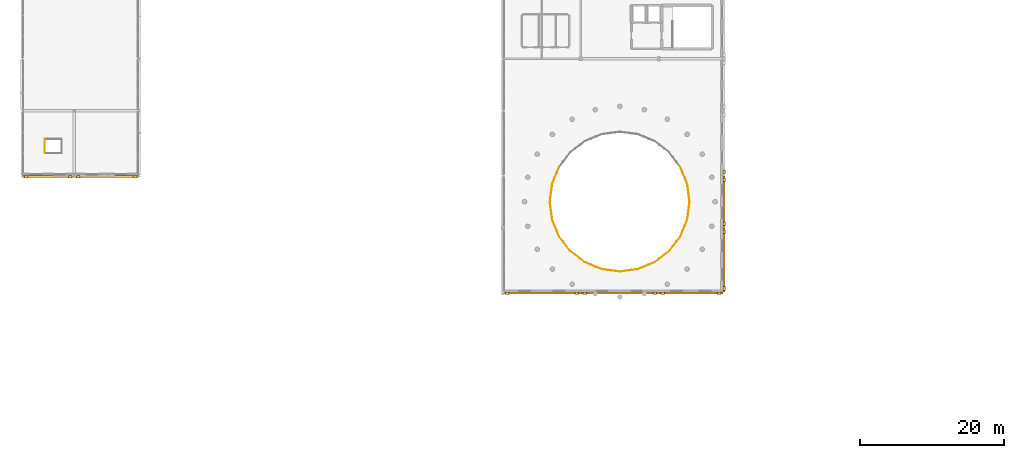
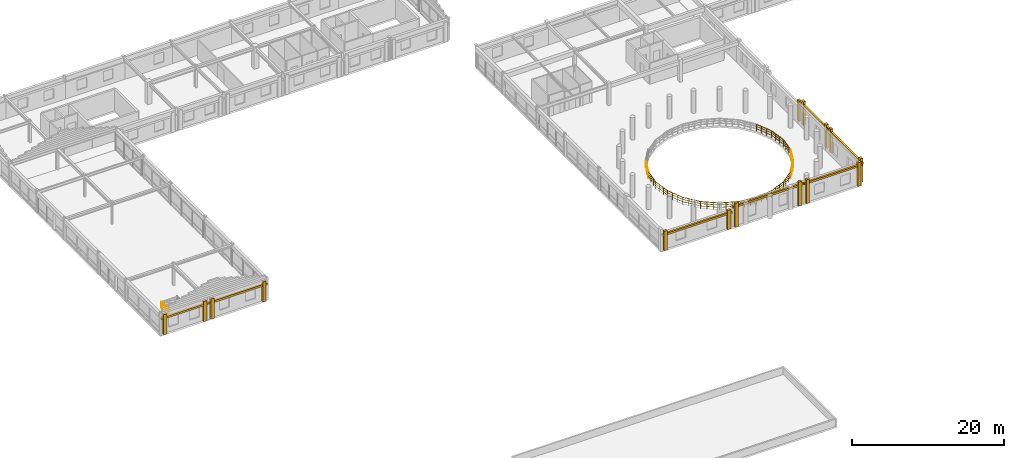
# One storey, part 46 of 52: 22 coverings, 17 railings.
"""IFC4 building model written with IfcOpenShell, lengths in metres."""

from ifc_helpers import new_model, si_unit, direction, frame, frame_2d, origin, origin_2d, place, context, subcontext, project, spatial, rectangle, circle, extrude, material, layer, layer_set, type_object, element, save


model = new_model("IFC4")

# Units and contexts
model_context = context("Model", 3, precision=1e-05, world=origin(), true_north=direction((0.0, 1.0)))
body_context = subcontext(model_context, "Body", "Model", "MODEL_VIEW")
ifc_project = project(units=[si_unit("LENGTHUNIT", "METRE"), si_unit("AREAUNIT", "SQUARE_METRE"), si_unit("VOLUMEUNIT", "CUBIC_METRE"), si_unit("PLANEANGLEUNIT", "RADIAN"), si_unit("MASSUNIT", "GRAM", prefix="KILO")], contexts=[model_context])

# Site, building, storey
site_placement = place(None, origin())
site = spatial("IfcSite", under=ifc_project, at=site_placement, CompositionType="ELEMENT")
building_placement = place(site_placement, origin())
building = spatial("IfcBuilding", under=site, at=building_placement, Name="Clarverna Civic Hall", CompositionType="ELEMENT")
storey_placement = place(building_placement, frame((0.0, 0.0, 16.800048828125)))
storey = spatial("IfcBuildingStorey", under=building, at=storey_placement, Name="L04", CompositionType="ELEMENT", Elevation=16.800048828125)

# Coverings
ifc_material_1 = material(Name="Montjuic Buff Limestone Ashlar Cladding", Category="masonry")
ifc_layer = layer(ifc_material_1, 0.070068359375)
ifc_layer_set = layer_set([ifc_layer], Name="Montjuic Buff Limestone Ashlar Cladding")
covering_type = type_object("IfcCoveringType", Name="CV-CL2", PredefinedType="CLADDING", material=ifc_layer_set)
covering_1_placement = place(storey_placement, frame((97.284912109375, 63.419921875, 0.0), z_axis=(0.0, 0.0, 1.0), x_axis=(0.0, -1.0, 0.0)))
element("IfcCovering", 1, at=covering_1_placement, inside=storey, type_object=covering_type, Name="CV-CL2-790", PredefinedType="CLADDING", context=body_context, shape_type="SweptSolid", body=[
    extrude(rectangle(XDim=0.5, YDim=0.340087890625, at=frame_2d((0.25, 0.0))), origin(), (0.0, 0.0, 1.0), 3.260009765625),
])
covering_2_placement = place(storey_placement, frame((97.2548828125, 62.5400390625, 3.06005859375), z_axis=(0.0, 0.0, 1.0), x_axis=(0.0, -1.0, 0.0)))
element("IfcCovering", 2, at=covering_2_placement, inside=storey, type_object=covering_type, Name="CV-CL2-791", PredefinedType="CLADDING", context=body_context, shape_type="SweptSolid", body=[
    extrude(rectangle(XDim=7.080078125, YDim=0.280029296875, at=frame_2d((3.5400390625, 0.0))), origin(), (0.0, 0.0, 1.0), 0.2998046875),
])
for number, where, z_axis, x_axis, name in (
    (3, (97.284912109375, 62.280029296875, 0.0), (0.0, 0.0, 1.0), (0.0, -1.0, 0.0), "CV-CL2-792"),
    (4, (97.284912109375, 56.219970703125, 0.0), (0.0, 0.0, 1.0), (0.0, -1.0, 0.0), "CV-CL2-793"),
):
    element("IfcCovering", number, at=place(storey_placement, frame(where, z_axis=z_axis, x_axis=x_axis)), inside=storey, type_object=covering_type, Name=name, PredefinedType="CLADDING", context=body_context, shape_type="SweptSolid", body=[
        extrude(rectangle(XDim=0.5, YDim=0.340087890625, at=frame_2d((0.25, 0.0))), origin(), (0.0, 0.0, 1.0), 3.820068359375),
    ])
covering_3_placement = place(storey_placement, frame((97.2548828125, 55.340087890625, 3.06005859375), z_axis=(0.0, 0.0, 1.0), x_axis=(0.0, -1.0, 0.0)))
element("IfcCovering", 5, at=covering_3_placement, inside=storey, type_object=covering_type, Name="CV-CL2-794", PredefinedType="CLADDING", context=body_context, shape_type="SweptSolid", body=[
    extrude(rectangle(XDim=8.880126953125, YDim=0.280029296875, at=frame_2d((4.43994140625, 0.0))), origin(), (0.0, 0.0, 1.0), 0.2998046875),
])
for number, where, z_axis, x_axis, name in (
    (6, (97.284912109375, 55.080078125, 0.0), (0.0, 0.0, 1.0), (0.0, -1.0, 0.0), "CV-CL2-795"),
    (7, (97.284912109375, 47.219970703125, 0.0), (0.0, 0.0, 1.0), (0.0, -1.0, 0.0), "CV-CL2-796"),
):
    element("IfcCovering", number, at=place(storey_placement, frame(where, z_axis=z_axis, x_axis=x_axis)), inside=storey, type_object=covering_type, Name=name, PredefinedType="CLADDING", context=body_context, shape_type="SweptSolid", body=[
        extrude(rectangle(XDim=0.5, YDim=0.340087890625, at=frame_2d((0.25, 0.0))), origin(), (0.0, 0.0, 1.0), 3.820068359375),
    ])
covering_4_placement = place(storey_placement, frame((97.114990234375, 46.320068359375, 3.06005859375), z_axis=(0.0, 0.0, 1.0), x_axis=(-1.0, 0.0, 0.0)))
element("IfcCovering", 8, at=covering_4_placement, inside=storey, type_object=covering_type, Name="CV-CL2-797", PredefinedType="CLADDING", context=body_context, shape_type="SweptSolid", body=[
    extrude(rectangle(XDim=8.85498046875, YDim=0.280029296875, at=frame_2d((4.427490234375, 0.0))), origin(), (0.0, 0.0, 1.0), 0.2998046875),
])
for number, where, z_axis, x_axis, name in (
    (9, (96.85498046875, 46.2900390625, 0.0), (0.0, 0.0, 1.0), (-1.0, 0.0, 0.0), "CV-CL2-798"),
    (10, (89.02001953125, 46.2900390625, 0.0), (0.0, 0.0, 1.0), (-1.0, 0.0, 0.0), "CV-CL2-799"),
):
    element("IfcCovering", number, at=place(storey_placement, frame(where, z_axis=z_axis, x_axis=x_axis)), inside=storey, type_object=covering_type, Name=name, PredefinedType="CLADDING", context=body_context, shape_type="SweptSolid", body=[
        extrude(rectangle(XDim=0.5, YDim=0.340087890625, at=frame_2d((0.25, 0.0))), origin(), (0.0, 0.0, 1.0), 3.820068359375),
    ])
covering_5_placement = place(storey_placement, frame((88.139892578125, 46.320068359375, 3.099853515625), z_axis=(0.0, 0.0, 1.0), x_axis=(-1.0, 0.0, 0.0)))
element("IfcCovering", 11, at=covering_5_placement, inside=storey, type_object=covering_type, Name="CV-CL2-800", PredefinedType="CLADDING", context=body_context, shape_type="SweptSolid", body=[
    extrude(rectangle(XDim=10.679931640625, YDim=0.280029296875, at=frame_2d((5.33984375, 0.0))), origin(), (0.0, 0.0, 1.0), 0.300048828125),
])
for number, where, z_axis, x_axis, name in (
    (12, (87.8798828125, 46.2900390625, 0.0), (0.0, 0.0, 1.0), (-1.0, 0.0, 0.0), "CV-CL2-801"),
    (13, (78.219970703125, 46.2900390625, 0.0), (0.0, 0.0, 1.0), (-1.0, 0.0, 0.0), "CV-CL2-802"),
):
    element("IfcCovering", number, at=place(storey_placement, frame(where, z_axis=z_axis, x_axis=x_axis)), inside=storey, type_object=covering_type, Name=name, PredefinedType="CLADDING", context=body_context, shape_type="SweptSolid", body=[
        extrude(rectangle(XDim=0.5, YDim=0.340087890625, at=frame_2d((0.25, 0.0))), origin(), (0.0, 0.0, 1.0), 3.85986328125),
    ])
covering_6_placement = place(storey_placement, frame((77.340087890625, 46.320068359375, 2.33984375), z_axis=(0.0, 0.0, 1.0), x_axis=(-1.0, 0.0, 0.0)))
element("IfcCovering", 14, at=covering_6_placement, inside=storey, type_object=covering_type, Name="CV-CL2-803", PredefinedType="CLADDING", context=body_context, shape_type="SweptSolid", body=[
    extrude(rectangle(XDim=10.655029296875, YDim=0.280029296875, at=frame_2d((5.32763671875, 0.0))), origin(), (0.0, 0.0, 1.0), 0.300048828125),
])
for number, where, z_axis, x_axis, name in (
    (15, (77.080078125, 46.2900390625, 0.0), (0.0, 0.0, 1.0), (-1.0, 0.0, 0.0), "CV-CL2-804"),
    (16, (67.445068359375, 46.2900390625, 0.0), (0.0, 0.0, 1.0), (-1.0, 0.0, 0.0), "CV-CL2-805"),
):
    element("IfcCovering", number, at=place(storey_placement, frame(where, z_axis=z_axis, x_axis=x_axis)), inside=storey, type_object=covering_type, Name=name, PredefinedType="CLADDING", context=body_context, shape_type="SweptSolid", body=[
        extrude(rectangle(XDim=0.5, YDim=0.340087890625, at=frame_2d((0.25, 0.0))), origin(), (0.0, 0.0, 1.0), 3.099853515625),
    ])
covering_7_placement = place(storey_placement, frame((16.139892578125, 62.52001953125, 2.4599609375), z_axis=(0.0, 0.0, 1.0), x_axis=(-1.0, 0.0, 0.0)))
element("IfcCovering", 17, at=covering_7_placement, inside=storey, type_object=covering_type, Name="CV-CL2-848", PredefinedType="CLADDING", context=body_context, shape_type="SweptSolid", body=[
    extrude(rectangle(XDim=8.8798828125, YDim=0.280029296875, at=frame_2d((4.43994140625, 0.0))), origin(), (0.0, 0.0, 1.0), 0.300048828125),
])
for number, where, z_axis, x_axis, name in (
    (18, (15.8798828125, 62.489990234375, 0.0), (0.0, 0.0, 1.0), (-1.0, 0.0, 0.0), "CV-CL2-849"),
    (19, (8.02001953125, 62.489990234375, 0.0), (0.0, 0.0, 1.0), (-1.0, 0.0, 0.0), "CV-CL2-850"),
):
    element("IfcCovering", number, at=place(storey_placement, frame(where, z_axis=z_axis, x_axis=x_axis)), inside=storey, type_object=covering_type, Name=name, PredefinedType="CLADDING", context=body_context, shape_type="SweptSolid", body=[
        extrude(rectangle(XDim=0.5, YDim=0.340087890625, at=frame_2d((0.25, 0.0))), origin(), (0.0, 0.0, 1.0), 3.219970703125),
    ])
covering_8_placement = place(storey_placement, frame((7.139892578125, 62.52001953125, 2.4599609375), z_axis=(0.0, 0.0, 1.0), x_axis=(-1.0, 0.0, 0.0)))
element("IfcCovering", 20, at=covering_8_placement, inside=storey, type_object=covering_type, Name="CV-CL2-851", PredefinedType="CLADDING", context=body_context, shape_type="SweptSolid", body=[
    extrude(rectangle(XDim=7.079833984375, YDim=0.280029296875, at=frame_2d((3.5400390625, 0.0))), origin(), (0.0, 0.0, 1.0), 0.300048828125),
])
for number, where, z_axis, x_axis, name in (
    (21, (6.8798828125, 62.489990234375, 0.0), (0.0, 0.0, 1.0), (-1.0, 0.0, 0.0), "CV-CL2-852"),
    (22, (0.820068359375, 62.489990234375, 0.0), (0.0, 0.0, 1.0), (-1.0, 0.0, 0.0), "CV-CL2-853"),
):
    element("IfcCovering", number, at=place(storey_placement, frame(where, z_axis=z_axis, x_axis=x_axis)), inside=storey, type_object=covering_type, Name=name, PredefinedType="CLADDING", context=body_context, shape_type="SweptSolid", body=[
        extrude(rectangle(XDim=0.5, YDim=0.340087890625, at=frame_2d((0.25, 0.0))), origin(), (0.0, 0.0, 1.0), 3.219970703125),
    ])

# Railings
ifc_material_2 = material(Name="Anodised Bronze Architectural Balustrade")
railing_type = type_object("IfcRailingType", Name="GR-02", PredefinedType="BALUSTRADE", material=ifc_material_2)
railing_1_placement = place(storey_placement, frame((92.480712890625, 59.0, 0.0)))
element("IfcRailing", 23, at=railing_1_placement, inside=storey, type_object=railing_type, Name="GR-02-264", PredefinedType="BALUSTRADE", context=body_context, shape_type="SweptSolid", body=[
    extrude(circle(Radius=0.02392578125, at=origin_2d()), frame((0.0, 0.0, 1.09619140625), z_axis=(-0.130511988108, -0.991446731277, 0.0), x_axis=(0.991446731277, -0.130511988108, 0.0)), (0.0, 0.0, 1.0), 2.52734375),
    extrude(circle(Radius=0.011962890625, at=origin_2d()), frame((0.0, 0.0, 0.39208984375), z_axis=(-0.130511988108, -0.991446731277, 0.0), x_axis=(0.991446731277, -0.130511988108, 0.0)), (0.0, 0.0, 1.0), 2.52734375),
    extrude(circle(Radius=0.011962890625, at=origin_2d()), frame((0.0, 0.0, 0.76171875), z_axis=(-0.130511988108, -0.991446731277, 0.0), x_axis=(0.991446731277, -0.130511988108, 0.0)), (0.0, 0.0, 1.0), 2.52734375),
    extrude(circle(Radius=0.02099609375, at=origin_2d()), origin(), (0.0, 0.0, 1.0), 1.072021484375),
    extrude(circle(Radius=0.02099609375, at=origin_2d()), frame((-0.10986328125, -0.835205078125, 0.0)), (0.0, 0.0, 1.0), 1.072021484375),
    extrude(circle(Radius=0.02099609375, at=origin_2d()), frame((-0.219970703125, -1.67041015625, 0.0)), (0.0, 0.0, 1.0), 1.072021484375),
    extrude(circle(Radius=0.02099609375, at=origin_2d()), frame((-0.329833984375, -2.505615234375, 0.0)), (0.0, 0.0, 1.0), 1.072021484375),
])
railing_2_placement = place(storey_placement, frame((92.15087890625, 56.494384765625, 0.0)))
element("IfcRailing", 24, at=railing_2_placement, inside=storey, type_object=railing_type, Name="GR-02-265", PredefinedType="BALUSTRADE", context=body_context, shape_type="SweptSolid", body=[
    extrude(circle(Radius=0.02392578125, at=origin_2d()), frame((0.0, 0.0, 1.09619140625), z_axis=(-0.382755640752, -0.923849619512, 0.0), x_axis=(0.923849619512, -0.382755640752, 0.0)), (0.0, 0.0, 1.0), 2.527099609375),
    extrude(circle(Radius=0.011962890625, at=origin_2d()), frame((0.0, 0.0, 0.39208984375), z_axis=(-0.382755640752, -0.923849619512, 0.0), x_axis=(0.923849619512, -0.382755640752, 0.0)), (0.0, 0.0, 1.0), 2.527099609375),
    extrude(circle(Radius=0.011962890625, at=origin_2d()), frame((0.0, 0.0, 0.76171875), z_axis=(-0.382755640752, -0.923849619512, 0.0), x_axis=(0.923849619512, -0.382755640752, 0.0)), (0.0, 0.0, 1.0), 2.527099609375),
    extrude(circle(Radius=0.02099609375, at=origin_2d()), origin(), (0.0, 0.0, 1.0), 1.072021484375),
    extrude(circle(Radius=0.02099609375, at=origin_2d()), frame((-0.322509765625, -0.7783203125, 0.0)), (0.0, 0.0, 1.0), 1.072021484375),
    extrude(circle(Radius=0.02099609375, at=origin_2d()), frame((-0.644775390625, -1.556396484375, 0.0)), (0.0, 0.0, 1.0), 1.072021484375),
    extrude(circle(Radius=0.02099609375, at=origin_2d()), frame((-0.96728515625, -2.334716796875, 0.0)), (0.0, 0.0, 1.0), 1.072021484375),
])
railing_3_placement = place(storey_placement, frame((91.18359375, 54.15966796875, 0.0)))
element("IfcRailing", 25, at=railing_3_placement, inside=storey, type_object=railing_type, Name="GR-02-266", PredefinedType="BALUSTRADE", context=body_context, shape_type="SweptSolid", body=[
    extrude(circle(Radius=0.02392578125, at=origin_2d()), frame((0.0, 0.0, 1.09619140625), z_axis=(-0.608743841742, -0.793366835166, 0.0), x_axis=(0.793366835166, -0.608743841742, 0.0)), (0.0, 0.0, 1.0), 2.527099609375),
    extrude(circle(Radius=0.011962890625, at=origin_2d()), frame((0.0, 0.0, 0.39208984375), z_axis=(-0.608743841742, -0.793366835166, 0.0), x_axis=(0.793366835166, -0.608743841742, 0.0)), (0.0, 0.0, 1.0), 2.527099609375),
    extrude(circle(Radius=0.011962890625, at=origin_2d()), frame((0.0, 0.0, 0.76171875), z_axis=(-0.608743841742, -0.793366835166, 0.0), x_axis=(0.793366835166, -0.608743841742, 0.0)), (0.0, 0.0, 1.0), 2.527099609375),
    extrude(circle(Radius=0.02099609375, at=origin_2d()), origin(), (0.0, 0.0, 1.0), 1.072021484375),
    extrude(circle(Radius=0.02099609375, at=origin_2d()), frame((-0.5126953125, -0.668212890625, 0.0)), (0.0, 0.0, 1.0), 1.072021484375),
    extrude(circle(Radius=0.02099609375, at=origin_2d()), frame((-1.025634765625, -1.336669921875, 0.0)), (0.0, 0.0, 1.0), 1.072021484375),
    extrude(circle(Radius=0.02099609375, at=origin_2d()), frame((-1.538330078125, -2.0048828125, 0.0)), (0.0, 0.0, 1.0), 1.072021484375),
])
railing_4_placement = place(storey_placement, frame((89.645263671875, 52.15478515625, 0.0)))
element("IfcRailing", 26, at=railing_4_placement, inside=storey, type_object=railing_type, Name="GR-02-267", PredefinedType="BALUSTRADE", context=body_context, shape_type="SweptSolid", body=[
    extrude(circle(Radius=0.02392578125, at=origin_2d()), frame((0.0, 0.0, 1.09619140625), z_axis=(-0.793320176763, -0.608804646123, 0.0), x_axis=(0.608804646123, -0.793320176763, 0.0)), (0.0, 0.0, 1.0), 2.527099609375),
    extrude(circle(Radius=0.011962890625, at=origin_2d()), frame((0.0, 0.0, 0.39208984375), z_axis=(-0.793320176763, -0.608804646123, 0.0), x_axis=(0.608804646123, -0.793320176763, 0.0)), (0.0, 0.0, 1.0), 2.527099609375),
    extrude(circle(Radius=0.011962890625, at=origin_2d()), frame((0.0, 0.0, 0.76171875), z_axis=(-0.793320176763, -0.608804646123, 0.0), x_axis=(0.608804646123, -0.793320176763, 0.0)), (0.0, 0.0, 1.0), 2.527099609375),
    extrude(circle(Radius=0.02099609375, at=origin_2d()), origin(), (0.0, 0.0, 1.0), 1.072021484375),
    extrude(circle(Radius=0.02099609375, at=origin_2d()), frame((-0.668212890625, -0.512939453125, 0.0)), (0.0, 0.0, 1.0), 1.072021484375),
    extrude(circle(Radius=0.02099609375, at=origin_2d()), frame((-1.336669921875, -1.025634765625, 0.0)), (0.0, 0.0, 1.0), 1.072021484375),
    extrude(circle(Radius=0.02099609375, at=origin_2d()), frame((-2.0048828125, -1.53857421875, 0.0)), (0.0, 0.0, 1.0), 1.072021484375),
])
railing_5_placement = place(storey_placement, frame((87.640380859375, 50.6162109375, 0.0)))
element("IfcRailing", 27, at=railing_5_placement, inside=storey, type_object=railing_type, Name="GR-02-268", PredefinedType="BALUSTRADE", context=body_context, shape_type="SweptSolid", body=[
    extrude(circle(Radius=0.02392578125, at=origin_2d()), frame((0.0, 0.0, 1.09619140625), z_axis=(-0.923883778051, -0.382673182564, 0.0), x_axis=(0.382673182564, -0.923883778051, 0.0)), (0.0, 0.0, 1.0), 2.527099609375),
    extrude(circle(Radius=0.011962890625, at=origin_2d()), frame((0.0, 0.0, 0.39208984375), z_axis=(-0.923883778051, -0.382673182564, 0.0), x_axis=(0.382673182564, -0.923883778051, 0.0)), (0.0, 0.0, 1.0), 2.527099609375),
    extrude(circle(Radius=0.011962890625, at=origin_2d()), frame((0.0, 0.0, 0.76171875), z_axis=(-0.923883778051, -0.382673182564, 0.0), x_axis=(0.382673182564, -0.923883778051, 0.0)), (0.0, 0.0, 1.0), 2.527099609375),
    extrude(circle(Radius=0.02099609375, at=origin_2d()), origin(), (0.0, 0.0, 1.0), 1.072021484375),
    extrude(circle(Radius=0.02099609375, at=origin_2d()), frame((-0.7783203125, -0.322265625, 0.0)), (0.0, 0.0, 1.0), 1.072021484375),
    extrude(circle(Radius=0.02099609375, at=origin_2d()), frame((-1.556396484375, -0.644775390625, 0.0)), (0.0, 0.0, 1.0), 1.072021484375),
    extrude(circle(Radius=0.02099609375, at=origin_2d()), frame((-2.334716796875, -0.967041015625, 0.0)), (0.0, 0.0, 1.0), 1.072021484375),
])
railing_6_placement = place(storey_placement, frame((85.3056640625, 49.649169921875, 0.0)))
element("IfcRailing", 28, at=railing_6_placement, inside=storey, type_object=railing_type, Name="GR-02-269", PredefinedType="BALUSTRADE", context=body_context, shape_type="SweptSolid", body=[
    extrude(circle(Radius=0.02392578125, at=origin_2d()), frame((0.0, 0.0, 1.09619140625), z_axis=(-0.991446731277, -0.130511988108, 0.0), x_axis=(0.130511988108, -0.991446731277, 0.0)), (0.0, 0.0, 1.0), 2.52734375),
    extrude(circle(Radius=0.011962890625, at=origin_2d()), frame((0.0, 0.0, 0.39208984375), z_axis=(-0.991446731277, -0.130511988108, 0.0), x_axis=(0.130511988108, -0.991446731277, 0.0)), (0.0, 0.0, 1.0), 2.52734375),
    extrude(circle(Radius=0.011962890625, at=origin_2d()), frame((0.0, 0.0, 0.76171875), z_axis=(-0.991446731277, -0.130511988108, 0.0), x_axis=(0.130511988108, -0.991446731277, 0.0)), (0.0, 0.0, 1.0), 2.52734375),
    extrude(circle(Radius=0.02099609375, at=origin_2d()), origin(), (0.0, 0.0, 1.0), 1.072021484375),
    extrude(circle(Radius=0.02099609375, at=origin_2d()), frame((-0.835205078125, -0.10986328125, 0.0)), (0.0, 0.0, 1.0), 1.072021484375),
    extrude(circle(Radius=0.02099609375, at=origin_2d()), frame((-1.67041015625, -0.219970703125, 0.0)), (0.0, 0.0, 1.0), 1.072021484375),
    extrude(circle(Radius=0.02099609375, at=origin_2d()), frame((-2.505615234375, -0.329833984375, 0.0)), (0.0, 0.0, 1.0), 1.072021484375),
])
railing_7_placement = place(storey_placement, frame((82.800048828125, 49.3193359375, 0.0)))
element("IfcRailing", 29, at=railing_7_placement, inside=storey, type_object=railing_type, Name="GR-02-270", PredefinedType="BALUSTRADE", context=body_context, shape_type="SweptSolid", body=[
    extrude(circle(Radius=0.02392578125, at=origin_2d()), frame((0.0, 0.0, 1.09619140625), z_axis=(-0.991446731277, 0.130511988108, 0.0), x_axis=(-0.130511988108, -0.991446731277, 0.0)), (0.0, 0.0, 1.0), 2.52734375),
    extrude(circle(Radius=0.011962890625, at=origin_2d()), frame((0.0, 0.0, 0.39208984375), z_axis=(-0.991446731277, 0.130511988108, 0.0), x_axis=(-0.130511988108, -0.991446731277, 0.0)), (0.0, 0.0, 1.0), 2.52734375),
    extrude(circle(Radius=0.011962890625, at=origin_2d()), frame((0.0, 0.0, 0.76171875), z_axis=(-0.991446731277, 0.130511988108, 0.0), x_axis=(-0.130511988108, -0.991446731277, 0.0)), (0.0, 0.0, 1.0), 2.52734375),
    extrude(circle(Radius=0.02099609375, at=origin_2d()), origin(), (0.0, 0.0, 1.0), 1.072021484375),
    extrude(circle(Radius=0.02099609375, at=origin_2d()), frame((-0.835205078125, 0.10986328125, 0.0)), (0.0, 0.0, 1.0), 1.072021484375),
    extrude(circle(Radius=0.02099609375, at=origin_2d()), frame((-1.67041015625, 0.219970703125, 0.0)), (0.0, 0.0, 1.0), 1.072021484375),
    extrude(circle(Radius=0.02099609375, at=origin_2d()), frame((-2.505615234375, 0.329833984375, 0.0)), (0.0, 0.0, 1.0), 1.072021484375),
])
railing_8_placement = place(storey_placement, frame((80.29443359375, 49.649169921875, 0.0)))
element("IfcRailing", 30, at=railing_8_placement, inside=storey, type_object=railing_type, Name="GR-02-271", PredefinedType="BALUSTRADE", context=body_context, shape_type="SweptSolid", body=[
    extrude(circle(Radius=0.02392578125, at=origin_2d()), frame((0.0, 0.0, 1.09619140625), z_axis=(-0.923883778051, 0.382673182564, 0.0), x_axis=(-0.382673182564, -0.923883778051, 0.0)), (0.0, 0.0, 1.0), 2.527099609375),
    extrude(circle(Radius=0.011962890625, at=origin_2d()), frame((0.0, 0.0, 0.39208984375), z_axis=(-0.923883778051, 0.382673182564, 0.0), x_axis=(-0.382673182564, -0.923883778051, 0.0)), (0.0, 0.0, 1.0), 2.527099609375),
    extrude(circle(Radius=0.011962890625, at=origin_2d()), frame((0.0, 0.0, 0.76171875), z_axis=(-0.923883778051, 0.382673182564, 0.0), x_axis=(-0.382673182564, -0.923883778051, 0.0)), (0.0, 0.0, 1.0), 2.527099609375),
    extrude(circle(Radius=0.02099609375, at=origin_2d()), origin(), (0.0, 0.0, 1.0), 1.072021484375),
    extrude(circle(Radius=0.02099609375, at=origin_2d()), frame((-0.7783203125, 0.322265625, 0.0)), (0.0, 0.0, 1.0), 1.072021484375),
    extrude(circle(Radius=0.02099609375, at=origin_2d()), frame((-1.556396484375, 0.644775390625, 0.0)), (0.0, 0.0, 1.0), 1.072021484375),
    extrude(circle(Radius=0.02099609375, at=origin_2d()), frame((-2.334716796875, 0.967041015625, 0.0)), (0.0, 0.0, 1.0), 1.072021484375),
])
railing_9_placement = place(storey_placement, frame((77.959716796875, 50.6162109375, 0.0)))
element("IfcRailing", 31, at=railing_9_placement, inside=storey, type_object=railing_type, Name="GR-02-272", PredefinedType="BALUSTRADE", context=body_context, shape_type="SweptSolid", body=[
    extrude(circle(Radius=0.02392578125, at=origin_2d()), frame((0.0, 0.0, 1.09619140625), z_axis=(-0.79335597862, 0.608757990657, 0.0), x_axis=(-0.608757990657, -0.79335597862, 0.0)), (0.0, 0.0, 1.0), 2.52734375),
    extrude(circle(Radius=0.011962890625, at=origin_2d()), frame((0.0, 0.0, 0.39208984375), z_axis=(-0.79335597862, 0.608757990657, 0.0), x_axis=(-0.608757990657, -0.79335597862, 0.0)), (0.0, 0.0, 1.0), 2.52734375),
    extrude(circle(Radius=0.011962890625, at=origin_2d()), frame((0.0, 0.0, 0.76171875), z_axis=(-0.79335597862, 0.608757990657, 0.0), x_axis=(-0.608757990657, -0.79335597862, 0.0)), (0.0, 0.0, 1.0), 2.52734375),
    extrude(circle(Radius=0.02099609375, at=origin_2d()), origin(), (0.0, 0.0, 1.0), 1.072021484375),
    extrude(circle(Radius=0.02099609375, at=origin_2d()), frame((-0.66845703125, 0.512939453125, 0.0)), (0.0, 0.0, 1.0), 1.072021484375),
    extrude(circle(Radius=0.02099609375, at=origin_2d()), frame((-1.336669921875, 1.025634765625, 0.0)), (0.0, 0.0, 1.0), 1.072021484375),
    extrude(circle(Radius=0.02099609375, at=origin_2d()), frame((-2.005126953125, 1.53857421875, 0.0)), (0.0, 0.0, 1.0), 1.072021484375),
])
railing_10_placement = place(storey_placement, frame((75.95458984375, 52.15478515625, 0.0)))
element("IfcRailing", 32, at=railing_10_placement, inside=storey, type_object=railing_type, Name="GR-02-273", PredefinedType="BALUSTRADE", context=body_context, shape_type="SweptSolid", body=[
    extrude(circle(Radius=0.02392578125, at=origin_2d()), frame((0.0, 0.0, 1.09619140625), z_axis=(-0.608743841742, 0.793366835166, 0.0), x_axis=(-0.793366835166, -0.608743841742, 0.0)), (0.0, 0.0, 1.0), 2.527099609375),
    extrude(circle(Radius=0.011962890625, at=origin_2d()), frame((0.0, 0.0, 0.39208984375), z_axis=(-0.608743841742, 0.793366835166, 0.0), x_axis=(-0.793366835166, -0.608743841742, 0.0)), (0.0, 0.0, 1.0), 2.527099609375),
    extrude(circle(Radius=0.011962890625, at=origin_2d()), frame((0.0, 0.0, 0.76171875), z_axis=(-0.608743841742, 0.793366835166, 0.0), x_axis=(-0.793366835166, -0.608743841742, 0.0)), (0.0, 0.0, 1.0), 2.527099609375),
    extrude(circle(Radius=0.02099609375, at=origin_2d()), origin(), (0.0, 0.0, 1.0), 1.072021484375),
    extrude(circle(Radius=0.02099609375, at=origin_2d()), frame((-0.5126953125, 0.668212890625, 0.0)), (0.0, 0.0, 1.0), 1.072021484375),
    extrude(circle(Radius=0.02099609375, at=origin_2d()), frame((-1.025634765625, 1.336669921875, 0.0)), (0.0, 0.0, 1.0), 1.072021484375),
    extrude(circle(Radius=0.02099609375, at=origin_2d()), frame((-1.538330078125, 2.0048828125, 0.0)), (0.0, 0.0, 1.0), 1.072021484375),
])
railing_11_placement = place(storey_placement, frame((74.416259765625, 54.15966796875, 0.0)))
element("IfcRailing", 33, at=railing_11_placement, inside=storey, type_object=railing_type, Name="GR-02-274", PredefinedType="BALUSTRADE", context=body_context, shape_type="SweptSolid", body=[
    extrude(circle(Radius=0.02392578125, at=origin_2d()), frame((0.0, 0.0, 1.09619140625), z_axis=(-0.382673182564, 0.923883778051, 0.0), x_axis=(-0.923883778051, -0.382673182564, 0.0)), (0.0, 0.0, 1.0), 2.527099609375),
    extrude(circle(Radius=0.011962890625, at=origin_2d()), frame((0.0, 0.0, 0.39208984375), z_axis=(-0.382673182564, 0.923883778051, 0.0), x_axis=(-0.923883778051, -0.382673182564, 0.0)), (0.0, 0.0, 1.0), 2.527099609375),
    extrude(circle(Radius=0.011962890625, at=origin_2d()), frame((0.0, 0.0, 0.76171875), z_axis=(-0.382673182564, 0.923883778051, 0.0), x_axis=(-0.923883778051, -0.382673182564, 0.0)), (0.0, 0.0, 1.0), 2.527099609375),
    extrude(circle(Radius=0.02099609375, at=origin_2d()), origin(), (0.0, 0.0, 1.0), 1.072021484375),
    extrude(circle(Radius=0.02099609375, at=origin_2d()), frame((-0.322265625, 0.7783203125, 0.0)), (0.0, 0.0, 1.0), 1.072021484375),
    extrude(circle(Radius=0.02099609375, at=origin_2d()), frame((-0.644775390625, 1.556396484375, 0.0)), (0.0, 0.0, 1.0), 1.072021484375),
    extrude(circle(Radius=0.02099609375, at=origin_2d()), frame((-0.967041015625, 2.334716796875, 0.0)), (0.0, 0.0, 1.0), 1.072021484375),
])
railing_12_placement = place(storey_placement, frame((73.44921875, 56.494384765625, 0.0)))
element("IfcRailing", 34, at=railing_12_placement, inside=storey, type_object=railing_type, Name="GR-02-275", PredefinedType="BALUSTRADE", context=body_context, shape_type="SweptSolid", body=[
    extrude(circle(Radius=0.02392578125, at=origin_2d()), frame((0.0, 0.0, 1.09619140625), z_axis=(-0.130511988108, 0.991446731277, 0.0), x_axis=(-0.991446731277, -0.130511988108, 0.0)), (0.0, 0.0, 1.0), 2.52734375),
    extrude(circle(Radius=0.011962890625, at=origin_2d()), frame((0.0, 0.0, 0.39208984375), z_axis=(-0.130511988108, 0.991446731277, 0.0), x_axis=(-0.991446731277, -0.130511988108, 0.0)), (0.0, 0.0, 1.0), 2.52734375),
    extrude(circle(Radius=0.011962890625, at=origin_2d()), frame((0.0, 0.0, 0.76171875), z_axis=(-0.130511988108, 0.991446731277, 0.0), x_axis=(-0.991446731277, -0.130511988108, 0.0)), (0.0, 0.0, 1.0), 2.52734375),
    extrude(circle(Radius=0.02099609375, at=origin_2d()), origin(), (0.0, 0.0, 1.0), 1.072021484375),
    extrude(circle(Radius=0.02099609375, at=origin_2d()), frame((-0.10986328125, 0.835205078125, 0.0)), (0.0, 0.0, 1.0), 1.072021484375),
    extrude(circle(Radius=0.02099609375, at=origin_2d()), frame((-0.219970703125, 1.67041015625, 0.0)), (0.0, 0.0, 1.0), 1.072021484375),
    extrude(circle(Radius=0.02099609375, at=origin_2d()), frame((-0.329833984375, 2.505615234375, 0.0)), (0.0, 0.0, 1.0), 1.072021484375),
])
railing_13_placement = place(storey_placement, frame((73.119384765625, 59.0, 0.0)))
element("IfcRailing", 35, at=railing_13_placement, inside=storey, type_object=railing_type, Name="GR-02-276", PredefinedType="BALUSTRADE", context=body_context, shape_type="SweptSolid", body=[
    extrude(circle(Radius=0.02392578125, at=origin_2d()), frame((0.0, 0.0, 1.09619140625), z_axis=(0.130511988108, 0.991446731277, 0.0), x_axis=(-0.991446731277, 0.130511988108, 0.0)), (0.0, 0.0, 1.0), 2.52734375),
    extrude(circle(Radius=0.011962890625, at=origin_2d()), frame((0.0, 0.0, 0.39208984375), z_axis=(0.130511988108, 0.991446731277, 0.0), x_axis=(-0.991446731277, 0.130511988108, 0.0)), (0.0, 0.0, 1.0), 2.52734375),
    extrude(circle(Radius=0.011962890625, at=origin_2d()), frame((0.0, 0.0, 0.76171875), z_axis=(0.130511988108, 0.991446731277, 0.0), x_axis=(-0.991446731277, 0.130511988108, 0.0)), (0.0, 0.0, 1.0), 2.52734375),
    extrude(circle(Radius=0.02099609375, at=origin_2d()), origin(), (0.0, 0.0, 1.0), 1.072021484375),
    extrude(circle(Radius=0.02099609375, at=origin_2d()), frame((0.10986328125, 0.835205078125, 0.0)), (0.0, 0.0, 1.0), 1.072021484375),
    extrude(circle(Radius=0.02099609375, at=origin_2d()), frame((0.219970703125, 1.67041015625, 0.0)), (0.0, 0.0, 1.0), 1.072021484375),
    extrude(circle(Radius=0.02099609375, at=origin_2d()), frame((0.329833984375, 2.505615234375, 0.0)), (0.0, 0.0, 1.0), 1.072021484375),
])
railing_14_placement = place(storey_placement, frame((73.44921875, 61.505615234375, 0.0)))
element("IfcRailing", 36, at=railing_14_placement, inside=storey, type_object=railing_type, Name="GR-02-277", PredefinedType="BALUSTRADE", context=body_context, shape_type="SweptSolid", body=[
    extrude(circle(Radius=0.02392578125, at=origin_2d()), frame((0.0, 0.0, 1.09619140625), z_axis=(0.382673182564, 0.923883778051, 0.0), x_axis=(-0.923883778051, 0.382673182564, 0.0)), (0.0, 0.0, 1.0), 2.527099609375),
    extrude(circle(Radius=0.011962890625, at=origin_2d()), frame((0.0, 0.0, 0.39208984375), z_axis=(0.382673182564, 0.923883778051, 0.0), x_axis=(-0.923883778051, 0.382673182564, 0.0)), (0.0, 0.0, 1.0), 2.527099609375),
    extrude(circle(Radius=0.011962890625, at=origin_2d()), frame((0.0, 0.0, 0.76171875), z_axis=(0.382673182564, 0.923883778051, 0.0), x_axis=(-0.923883778051, 0.382673182564, 0.0)), (0.0, 0.0, 1.0), 2.527099609375),
    extrude(circle(Radius=0.02099609375, at=origin_2d()), origin(), (0.0, 0.0, 1.0), 1.072021484375),
    extrude(circle(Radius=0.02099609375, at=origin_2d()), frame((0.322265625, 0.7783203125, 0.0)), (0.0, 0.0, 1.0), 1.072021484375),
    extrude(circle(Radius=0.02099609375, at=origin_2d()), frame((0.644775390625, 1.556396484375, 0.0)), (0.0, 0.0, 1.0), 1.072021484375),
    extrude(circle(Radius=0.02099609375, at=origin_2d()), frame((0.967041015625, 2.334716796875, 0.0)), (0.0, 0.0, 1.0), 1.072021484375),
])
railing_15_placement = place(storey_placement, frame((91.18359375, 63.84033203125, 0.0)))
element("IfcRailing", 37, at=railing_15_placement, inside=storey, type_object=railing_type, Name="GR-02-286", PredefinedType="BALUSTRADE", context=body_context, shape_type="SweptSolid", body=[
    extrude(circle(Radius=0.02392578125, at=origin_2d()), frame((0.0, 0.0, 1.09619140625), z_axis=(0.382755640752, -0.923849619512, 0.0), x_axis=(0.923849619512, 0.382755640752, 0.0)), (0.0, 0.0, 1.0), 2.527099609375),
    extrude(circle(Radius=0.011962890625, at=origin_2d()), frame((0.0, 0.0, 0.39208984375), z_axis=(0.382755640752, -0.923849619512, 0.0), x_axis=(0.923849619512, 0.382755640752, 0.0)), (0.0, 0.0, 1.0), 2.527099609375),
    extrude(circle(Radius=0.011962890625, at=origin_2d()), frame((0.0, 0.0, 0.76171875), z_axis=(0.382755640752, -0.923849619512, 0.0), x_axis=(0.923849619512, 0.382755640752, 0.0)), (0.0, 0.0, 1.0), 2.527099609375),
    extrude(circle(Radius=0.02099609375, at=origin_2d()), origin(), (0.0, 0.0, 1.0), 1.072021484375),
    extrude(circle(Radius=0.02099609375, at=origin_2d()), frame((0.322509765625, -0.7783203125, 0.0)), (0.0, 0.0, 1.0), 1.072021484375),
    extrude(circle(Radius=0.02099609375, at=origin_2d()), frame((0.644775390625, -1.556396484375, 0.0)), (0.0, 0.0, 1.0), 1.072021484375),
    extrude(circle(Radius=0.02099609375, at=origin_2d()), frame((0.96728515625, -2.334716796875, 0.0)), (0.0, 0.0, 1.0), 1.072021484375),
])
railing_16_placement = place(storey_placement, frame((92.15087890625, 61.505615234375, 0.0)))
element("IfcRailing", 38, at=railing_16_placement, inside=storey, type_object=railing_type, Name="GR-02-287", PredefinedType="BALUSTRADE", context=body_context, shape_type="SweptSolid", body=[
    extrude(circle(Radius=0.02392578125, at=origin_2d()), frame((0.0, 0.0, 1.09619140625), z_axis=(0.130511988108, -0.991446731277, 0.0), x_axis=(0.991446731277, 0.130511988108, 0.0)), (0.0, 0.0, 1.0), 2.52734375),
    extrude(circle(Radius=0.011962890625, at=origin_2d()), frame((0.0, 0.0, 0.39208984375), z_axis=(0.130511988108, -0.991446731277, 0.0), x_axis=(0.991446731277, 0.130511988108, 0.0)), (0.0, 0.0, 1.0), 2.52734375),
    extrude(circle(Radius=0.011962890625, at=origin_2d()), frame((0.0, 0.0, 0.76171875), z_axis=(0.130511988108, -0.991446731277, 0.0), x_axis=(0.991446731277, 0.130511988108, 0.0)), (0.0, 0.0, 1.0), 2.52734375),
    extrude(circle(Radius=0.02099609375, at=origin_2d()), origin(), (0.0, 0.0, 1.0), 1.072021484375),
    extrude(circle(Radius=0.02099609375, at=origin_2d()), frame((0.10986328125, -0.835205078125, 0.0)), (0.0, 0.0, 1.0), 1.072021484375),
    extrude(circle(Radius=0.02099609375, at=origin_2d()), frame((0.219970703125, -1.67041015625, 0.0)), (0.0, 0.0, 1.0), 1.072021484375),
    extrude(circle(Radius=0.02099609375, at=origin_2d()), frame((0.329833984375, -2.505615234375, 0.0)), (0.0, 0.0, 1.0), 1.072021484375),
])
railing_17_placement = place(storey_placement, frame((3.1201171875, 65.719970703125, 0.0)))
element("IfcRailing", 39, at=railing_17_placement, inside=storey, type_object=railing_type, Name="GR-02-288", PredefinedType="BALUSTRADE", context=body_context, shape_type="SweptSolid", body=[
    extrude(circle(Radius=0.02392578125, at=origin_2d()), frame((0.0, 0.0, 1.09619140625), z_axis=(0.0, 1.0, 0.0), x_axis=(-1.0, 0.0, 0.0)), (0.0, 0.0, 1.0), 1.9599609375),
    extrude(circle(Radius=0.011962890625, at=origin_2d()), frame((0.0, 0.0, 0.39208984375), z_axis=(0.0, 1.0, 0.0), x_axis=(-1.0, 0.0, 0.0)), (0.0, 0.0, 1.0), 1.9599609375),
    extrude(circle(Radius=0.011962890625, at=origin_2d()), frame((0.0, 0.0, 0.76171875), z_axis=(0.0, 1.0, 0.0), x_axis=(-1.0, 0.0, 0.0)), (0.0, 0.0, 1.0), 1.9599609375),
    extrude(circle(Radius=0.02099609375, at=origin_2d()), origin(), (0.0, 0.0, 1.0), 1.072021484375),
    extrude(circle(Radius=0.02099609375, at=origin_2d()), frame((0.0, 0.97998046875, 0.0)), (0.0, 0.0, 1.0), 1.072021484375),
    extrude(circle(Radius=0.02099609375, at=origin_2d()), frame((0.0, 1.9599609375, 0.0)), (0.0, 0.0, 1.0), 1.072021484375),
])

save(model, "model.ifc")
